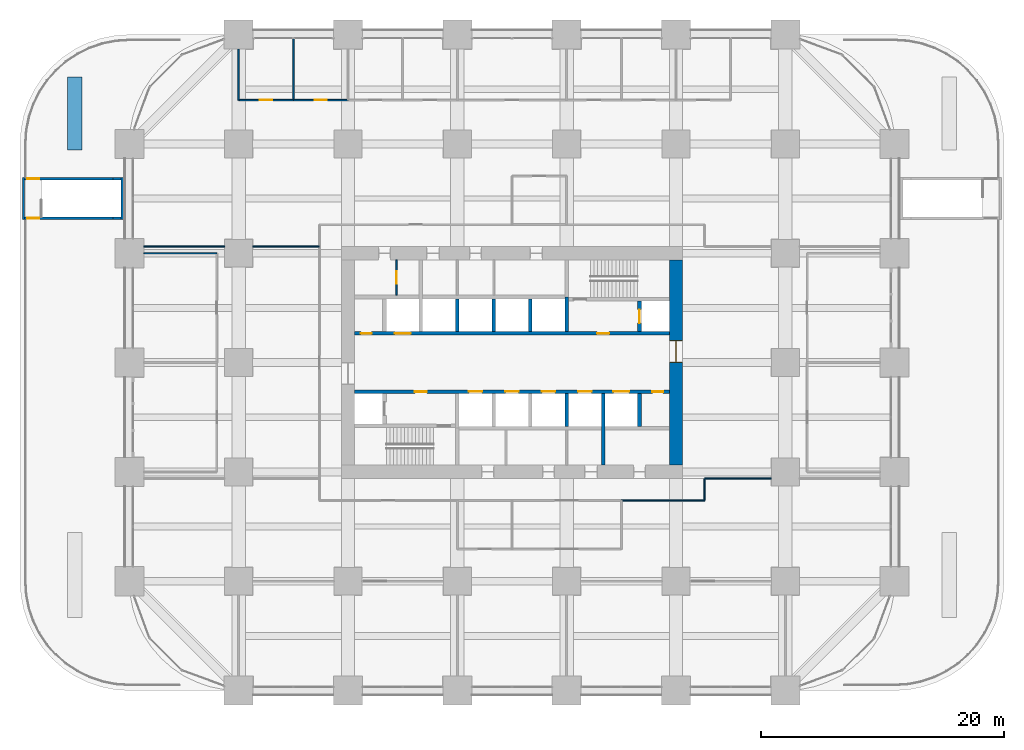
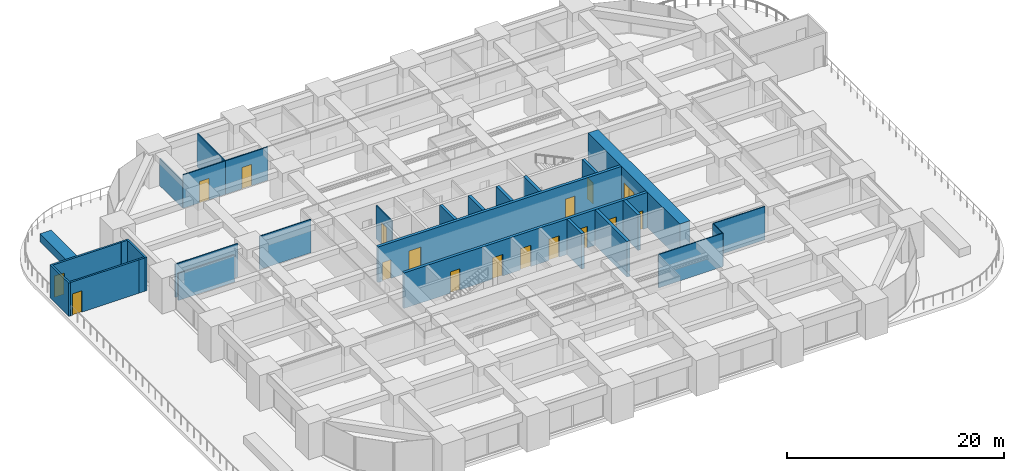
# One storey, part 33 of 38: 29 walls, 17 doors, 17 openings.
"""IFC4 building model written with IfcOpenShell, lengths in metres."""

from ifc_helpers import new_model, si_unit, direction, frame, frame_2d, origin, place, context, subcontext, project, spatial, rectangle, extrude, material, layer, layer_set, type_object, element, fill, save


model = new_model("IFC4")

# Units and contexts
model_context = context("Model", 3, precision=1e-05, world=origin(), true_north=direction((0.0, 1.0)))
body_context = subcontext(model_context, "Body", "Model", "MODEL_VIEW")
ifc_project = project(units=[si_unit("LENGTHUNIT", "METRE"), si_unit("AREAUNIT", "SQUARE_METRE"), si_unit("VOLUMEUNIT", "CUBIC_METRE"), si_unit("PLANEANGLEUNIT", "RADIAN"), si_unit("MASSUNIT", "GRAM", prefix="KILO")], contexts=[model_context])

# Site, building, storey
site_placement = place(None, origin())
site = spatial("IfcSite", under=ifc_project, at=site_placement, CompositionType="ELEMENT")
building_placement = place(site_placement, origin())
building = spatial("IfcBuilding", under=site, at=building_placement, Name="Zorevar Civic Tower", CompositionType="ELEMENT")
storey_placement = place(building_placement, frame((0.0, 0.0, 15.800048828125)))
storey = spatial("IfcBuildingStorey", under=building, at=storey_placement, Name="L03", CompositionType="ELEMENT", Elevation=15.800048828125)

# Walls
ifc_material_1 = material(Name="Concrete blockwork", Category="masonry")
ifc_layer_1 = layer(ifc_material_1, 0.199951171875)
ifc_layer_set_1 = layer_set([ifc_layer_1], Name="Blockwork wall 200")
wall_type_1 = type_object("IfcWallType", Name="Blockwork wall 200", PredefinedType="SOLIDWALL", material=ifc_layer_set_1)
for number, where, z_axis, x_axis, name in (
    (1, (-1.35009765625, 38.875, 0.0), (0.0, 0.0, 1.0), (1.0, 0.0, 0.0), "Escape stair PS1 enclosure L03"),
    (2, (-1.35009765625, 42.125, 0.0), (0.0, 0.0, 1.0), (1.0, 0.0, 0.0), "Escape stair PS1 enclosure L03"),
):
    element("IfcWall", number, at=place(storey_placement, frame(where, z_axis=z_axis, x_axis=x_axis)), inside=storey, type_object=wall_type_1, Name=name, PredefinedType="SOLIDWALL", context=body_context, shape_type="SweptSolid", body=[
        extrude(rectangle(XDim=0.650146484375, YDim=0.199951171875, at=frame_2d((0.3251953125, 0.0))), origin(), (0.0, 0.0, 1.0), 3.75),
    ])
wall_1_placement = place(storey_placement, frame((-0.60009765625, 38.77490234375, 0.0), z_axis=(0.0, 0.0, 1.0), x_axis=(0.0, 1.0, 0.0)))
element("IfcWall", 3, at=wall_1_placement, inside=storey, type_object=wall_type_1, Name="Escape stair PS1 enclosure L03", PredefinedType="SOLIDWALL", context=body_context, shape_type="SweptSolid", body=[
    extrude(rectangle(XDim=3.4501953125, YDim=0.199951171875, at=frame_2d((1.72509765625, 0.0))), origin(), (0.0, 0.0, 1.0), 3.75),
])

# Wall, opening, door
ifc_material_2 = material(Name="Concrete C50/60", Category="concrete")
ifc_layer_2 = layer(ifc_material_2, 1.10009765625)
ifc_layer_set_2 = layer_set([ifc_layer_2], Name="Core wall 1100")
wall_type_2 = type_object("IfcWallType", Name="Core wall 1100", PredefinedType="SHEAR", material=ifc_layer_set_2)
wall_2_placement = place(storey_placement, frame((45.0, 18.550048828125, 0.0), z_axis=(0.0, 0.0, 1.0), x_axis=(0.0, 1.0, 0.0)))
wall_2 = element("IfcWall", 4, at=wall_2_placement, inside=storey, type_object=wall_type_2, Name="Core wall E L03", PredefinedType="SHEAR", context=body_context, shape_type="SweptSolid", body=[
    extrude(rectangle(XDim=16.89990234375, YDim=1.10009765625, at=frame_2d((8.449951171875, 0.0))), origin(), (0.0, 0.0, 1.0), 4.0),
])
opening_1_placement = place(wall_2_placement, frame((8.449951171875, 0.0, 0.0)))
opening_1 = element("IfcOpeningElement", 5, at=opening_1_placement, cuts=wall_2, Name="Opening L03.02", PredefinedType="OPENING", context=body_context, shape_type="SweptSolid", body=[
    extrude(rectangle(XDim=1.800048828125, YDim=2.39990234375, at=frame_2d((0.89990234375, 1.199951171875))), frame((0.0, 0.56005859375, 0.0), z_axis=(0.0, -1.0, 0.0), x_axis=(1.0, 0.0, 0.0)), (0.0, 0.0, 1.0), 1.1201171875),
])
ifc_material_3 = material(Name="Steel door set", Category="steel")
door_type_1 = type_object("IfcDoorType", Name="Fire door FD2 1800x2400", OperationType="DOUBLE_DOOR_DOUBLE_SWING", PredefinedType="DOOR", material=ifc_material_3)
door_1_placement = place(opening_1_placement, origin())
door_1 = element("IfcDoor", 6, at=door_1_placement, inside=storey, type_object=door_type_1, Name="Door L03 01", OperationType="DOUBLE_DOOR_DOUBLE_SWING", OverallHeight=2.39990234375, OverallWidth=1.800048828125, PredefinedType="DOOR", context=body_context, shape_type="SweptSolid", body=[
    extrude(rectangle(XDim=1.800048828125, YDim=2.39990234375, at=frame_2d((0.89990234375, 1.199951171875))), frame((0.0, 0.030029296875, 0.0), z_axis=(0.0, -1.0, 0.0), x_axis=(1.0, 0.0, 0.0)), (0.0, 0.0, 1.0), 0.06005859375),
    extrude(rectangle(XDim=0.04, YDim=2.39990234375, at=frame_2d((0.02001953125, 1.199951171875))), frame((0.0, 0.5498046875, 0.0), z_axis=(0.0, -1.0, 0.0), x_axis=(1.0, 0.0, 0.0)), (0.0, 0.0, 1.0), 1.099609375),
    extrude(rectangle(XDim=0.04, YDim=2.39990234375, at=frame_2d((1.780029296875, 1.199951171875))), frame((0.0, 0.5498046875, 0.0), z_axis=(0.0, -1.0, 0.0), x_axis=(1.0, 0.0, 0.0)), (0.0, 0.0, 1.0), 1.099609375),
    extrude(rectangle(XDim=1.800048828125, YDim=0.04, at=frame_2d((0.89990234375, 2.3798828125))), frame((0.0, 0.5498046875, 0.0), z_axis=(0.0, -1.0, 0.0), x_axis=(1.0, 0.0, 0.0)), (0.0, 0.0, 1.0), 1.099609375),
])
fill(opening_1, door_1)

# Walls
ifc_material_4 = material(Name="Laminated glass in black aluminium frame", Category="aluminium")
ifc_layer_3 = layer(ifc_material_4, 0.10009765625)
ifc_layer_set_3 = layer_set([ifc_layer_3], Name="Glazed partition 100")
wall_type_3 = type_object("IfcWallType", Name="Glazed partition 100", PredefinedType="PARTITIONING", material=ifc_layer_set_3)
wall_3_placement = place(storey_placement, frame((40.5, 15.64990234375, 0.0), z_axis=(0.0, 0.0, 1.0), x_axis=(1.0, 0.0, 0.0)))
element("IfcWall", 7, at=wall_3_placement, inside=storey, type_object=wall_type_3, Name="Glazed partition 100 L03", PredefinedType="PARTITIONING", context=body_context, shape_type="SweptSolid", body=[
    extrude(rectangle(XDim=6.85009765625, YDim=0.10009765625, at=frame_2d((3.425048828125, 0.0))), origin(), (0.0, 0.0, 1.0), 3.75),
])
wall_4_placement = place(storey_placement, frame((47.35009765625, 17.449951171875, 0.0), z_axis=(0.0, 0.0, 1.0), x_axis=(1.0, 0.0, 0.0)))
element("IfcWall", 8, at=wall_4_placement, inside=storey, type_object=wall_type_3, Name="Glazed partition 100 L03", PredefinedType="PARTITIONING", context=body_context, shape_type="SweptSolid", body=[
    extrude(rectangle(XDim=5.5, YDim=0.10009765625, at=frame_2d((2.75, 0.0))), origin(), (0.0, 0.0, 1.0), 3.75),
])
wall_5_placement = place(storey_placement, frame((1.199951171875, 36.550048828125, 0.0), z_axis=(0.0, 0.0, 1.0), x_axis=(1.0, 0.0, 0.0)))
element("IfcWall", 9, at=wall_5_placement, inside=storey, type_object=wall_type_3, Name="Glazed partition 100 L03", PredefinedType="PARTITIONING", context=body_context, shape_type="SweptSolid", body=[
    extrude(rectangle(XDim=6.650146484375, YDim=0.10009765625, at=frame_2d((3.3251953125, 0.0))), origin(), (0.0, 0.0, 1.0), 3.75),
])
wall_6_placement = place(storey_placement, frame((10.14990234375, 36.550048828125, 0.0), z_axis=(0.0, 0.0, 1.0), x_axis=(1.0, 0.0, 0.0)))
element("IfcWall", 10, at=wall_6_placement, inside=storey, type_object=wall_type_3, Name="Glazed partition 100 L03", PredefinedType="PARTITIONING", context=body_context, shape_type="SweptSolid", body=[
    extrude(rectangle(XDim=5.5, YDim=0.10009765625, at=frame_2d((2.75, 0.0))), origin(), (0.0, 0.0, 1.0), 3.75),
])
wall_7_placement = place(storey_placement, frame((47.35009765625, 15.64990234375, 0.0), z_axis=(0.0, 0.0, 1.0), x_axis=(0.0, 1.0, 0.0)))
element("IfcWall", 11, at=wall_7_placement, inside=storey, type_object=wall_type_3, Name="Glazed partition 100 L03", PredefinedType="PARTITIONING", context=body_context, shape_type="SweptSolid", body=[
    extrude(rectangle(XDim=1.800048828125, YDim=0.10009765625, at=frame_2d((0.89990234375, 0.0))), origin(), (0.0, 0.0, 1.0), 3.75),
])

# Wall, opening, door
ifc_material_5 = material(Name="Concrete C40/50", Category="concrete")
ifc_layer_4 = layer(ifc_material_5, 0.300048828125)
ifc_layer_set_4 = layer_set([ifc_layer_4], Name="Inner core wall 300")
wall_type_4 = type_object("IfcWallType", Name="Inner core wall 300", PredefinedType="SHEAR", material=ifc_layer_set_4)
wall_8_placement = place(storey_placement, frame((42.0, 29.550048828125, 0.0), z_axis=(0.0, 0.0, 1.0), x_axis=(0.0, 1.0, 0.0)))
wall_8 = element("IfcWall", 12, at=wall_8_placement, inside=storey, type_object=wall_type_4, Name="Inner core wall N02 L03", PredefinedType="SHEAR", context=body_context, shape_type="SweptSolid", body=[
    extrude(rectangle(XDim=2.5, YDim=0.300048828125, at=frame_2d((1.25, 0.0))), origin(), (0.0, 0.0, 1.0), 4.0),
])
opening_2_placement = place(wall_8_placement, frame((0.699951171875, 0.0, 0.0)))
opening_2 = element("IfcOpeningElement", 13, at=opening_2_placement, cuts=wall_8, Name="Opening L03.FL2", PredefinedType="OPENING", context=body_context, shape_type="SweptSolid", body=[
    extrude(rectangle(XDim=1.10009765625, YDim=2.39990234375, at=frame_2d((0.550048828125, 1.199951171875))), frame((0.0, 0.159912109375, 0.0), z_axis=(0.0, -1.0, 0.0), x_axis=(1.0, 0.0, 0.0)), (0.0, 0.0, 1.0), 0.320068359375),
])
ifc_material_6 = material(Name="Steel door set", Category="steel")
door_type_2 = type_object("IfcDoorType", Name="Firefighting lift landing door LD3 1100x2400", OperationType="DOUBLE_DOOR_SLIDING", PredefinedType="DOOR", material=ifc_material_6)
door_2_placement = place(opening_2_placement, origin())
door_2 = element("IfcDoor", 14, at=door_2_placement, inside=storey, type_object=door_type_2, Name="Landing door FL2 L03", OperationType="DOUBLE_DOOR_SLIDING", OverallHeight=2.39990234375, OverallWidth=1.10009765625, PredefinedType="DOOR", context=body_context, shape_type="SweptSolid", body=[
    extrude(rectangle(XDim=1.10009765625, YDim=2.39990234375, at=frame_2d((0.550048828125, 1.199951171875))), frame((0.0, 0.030029296875, 0.0), z_axis=(0.0, -1.0, 0.0), x_axis=(1.0, 0.0, 0.0)), (0.0, 0.0, 1.0), 0.06005859375),
])
fill(opening_2, door_2)

# Wall, openings, doors
wall_9_placement = place(storey_placement, frame((18.550048828125, 24.60009765625, 0.0), z_axis=(0.0, 0.0, 1.0), x_axis=(1.0, 0.0, 0.0)))
wall_9 = element("IfcWall", 15, at=wall_9_placement, inside=storey, type_object=wall_type_4, Name="Inner core wall S03 L03", PredefinedType="SHEAR", context=body_context, shape_type="SweptSolid", body=[
    extrude(rectangle(XDim=25.89990234375, YDim=0.300048828125, at=frame_2d((12.949951171875, 0.0))), origin(), (0.0, 0.0, 1.0), 4.0),
])
opening_3_placement = place(wall_9_placement, frame((4.949951171875, 0.0, 0.0)))
opening_3 = element("IfcOpeningElement", 16, at=opening_3_placement, cuts=wall_9, Name="Opening L03.13", PredefinedType="OPENING", context=body_context, shape_type="SweptSolid", body=[
    extrude(rectangle(XDim=1.0, YDim=2.39990234375, at=frame_2d((0.5, 1.199951171875))), frame((0.0, 0.159912109375, 0.0), z_axis=(0.0, -1.0, 0.0), x_axis=(1.0, 0.0, 0.0)), (0.0, 0.0, 1.0), 0.320068359375),
])
opening_4_placement = place(wall_9_placement, frame((24.5, 0.0, 0.0)))
opening_4 = element("IfcOpeningElement", 17, at=opening_4_placement, cuts=wall_9, Name="Opening L03.15", PredefinedType="OPENING", context=body_context, shape_type="SweptSolid", body=[
    extrude(rectangle(XDim=0.89990234375, YDim=2.10009765625, at=frame_2d((0.449951171875, 1.050048828125))), frame((0.0, 0.159912109375, 0.0), z_axis=(0.0, -1.0, 0.0), x_axis=(1.0, 0.0, 0.0)), (0.0, 0.0, 1.0), 0.320068359375),
])
opening_5_placement = place(wall_9_placement, frame((9.39990234375, 0.0, 0.0)))
opening_5 = element("IfcOpeningElement", 18, at=opening_5_placement, cuts=wall_9, Name="Opening L03.LP1", PredefinedType="OPENING", context=body_context, shape_type="SweptSolid", body=[
    extrude(rectangle(XDim=1.10009765625, YDim=2.39990234375, at=frame_2d((0.550048828125, 1.199951171875))), frame((0.0, 0.159912109375, 0.0), z_axis=(0.0, -1.0, 0.0), x_axis=(1.0, 0.0, 0.0)), (0.0, 0.0, 1.0), 0.320068359375),
])
opening_6_placement = place(wall_9_placement, frame((12.39990234375, 0.0, 0.0)))
opening_6 = element("IfcOpeningElement", 19, at=opening_6_placement, cuts=wall_9, Name="Opening L03.LP2", PredefinedType="OPENING", context=body_context, shape_type="SweptSolid", body=[
    extrude(rectangle(XDim=1.10009765625, YDim=2.39990234375, at=frame_2d((0.550048828125, 1.199951171875))), frame((0.0, 0.159912109375, 0.0), z_axis=(0.0, -1.0, 0.0), x_axis=(1.0, 0.0, 0.0)), (0.0, 0.0, 1.0), 0.320068359375),
])
opening_7_placement = place(wall_9_placement, frame((15.39990234375, 0.0, 0.0)))
opening_7 = element("IfcOpeningElement", 20, at=opening_7_placement, cuts=wall_9, Name="Opening L03.LP3", PredefinedType="OPENING", context=body_context, shape_type="SweptSolid", body=[
    extrude(rectangle(XDim=1.10009765625, YDim=2.39990234375, at=frame_2d((0.550048828125, 1.199951171875))), frame((0.0, 0.159912109375, 0.0), z_axis=(0.0, -1.0, 0.0), x_axis=(1.0, 0.0, 0.0)), (0.0, 0.0, 1.0), 0.320068359375),
])
opening_8_placement = place(wall_9_placement, frame((18.39990234375, 0.0, 0.0)))
opening_8 = element("IfcOpeningElement", 21, at=opening_8_placement, cuts=wall_9, Name="Opening L03.LP4", PredefinedType="OPENING", context=body_context, shape_type="SweptSolid", body=[
    extrude(rectangle(XDim=1.10009765625, YDim=2.39990234375, at=frame_2d((0.550048828125, 1.199951171875))), frame((0.0, 0.159912109375, 0.0), z_axis=(0.0, -1.0, 0.0), x_axis=(1.0, 0.0, 0.0)), (0.0, 0.0, 1.0), 0.320068359375),
])
opening_9_placement = place(wall_9_placement, frame((21.300048828125, 0.0, 0.0)))
opening_9 = element("IfcOpeningElement", 22, at=opening_9_placement, cuts=wall_9, Name="Opening L03.SL1", PredefinedType="OPENING", context=body_context, shape_type="SweptSolid", body=[
    extrude(rectangle(XDim=1.300048828125, YDim=2.39990234375, at=frame_2d((0.64990234375, 1.199951171875))), frame((0.0, 0.159912109375, 0.0), z_axis=(0.0, -1.0, 0.0), x_axis=(1.0, 0.0, 0.0)), (0.0, 0.0, 1.0), 0.320068359375),
])
ifc_material_7 = material(Name="Steel door set", Category="steel")
door_type_3 = type_object("IfcDoorType", Name="Fire door FD1 1000x2400", OperationType="SINGLE_SWING_LEFT", PredefinedType="DOOR", material=ifc_material_7)
door_3_placement = place(opening_3_placement, origin())
door_3 = element("IfcDoor", 23, at=door_3_placement, inside=storey, type_object=door_type_3, Name="Door L03 12", OperationType="SINGLE_SWING_RIGHT", OverallHeight=2.39990234375, OverallWidth=1.0, PredefinedType="DOOR", context=body_context, shape_type="SweptSolid", body=[
    extrude(rectangle(XDim=1.0, YDim=2.39990234375, at=frame_2d((0.5, 1.199951171875))), frame((0.0, 0.030029296875, 0.0), z_axis=(0.0, -1.0, 0.0), x_axis=(1.0, 0.0, 0.0)), (0.0, 0.0, 1.0), 0.06005859375),
])
fill(opening_3, door_3)
ifc_material_8 = material(Name="Steel door set", Category="steel")
door_type_4 = type_object("IfcDoorType", Name="Landing door LD1 1100x2400", OperationType="DOUBLE_DOOR_SLIDING", PredefinedType="DOOR", material=ifc_material_8)
door_4_placement = place(opening_5_placement, origin())
door_4 = element("IfcDoor", 24, at=door_4_placement, inside=storey, type_object=door_type_4, Name="Landing door LP1 L03", OperationType="DOUBLE_DOOR_SLIDING", OverallHeight=2.39990234375, OverallWidth=1.10009765625, PredefinedType="DOOR", context=body_context, shape_type="SweptSolid", body=[
    extrude(rectangle(XDim=1.10009765625, YDim=2.39990234375, at=frame_2d((0.550048828125, 1.199951171875))), frame((0.0, 0.02001953125, 0.0), z_axis=(0.0, -1.0, 0.0), x_axis=(1.0, 0.0, 0.0)), (0.0, 0.0, 1.0), 0.0400390625),
])
fill(opening_5, door_4)
door_5_placement = place(opening_6_placement, origin())
door_5 = element("IfcDoor", 25, at=door_5_placement, inside=storey, type_object=door_type_4, Name="Landing door LP2 L03", OperationType="DOUBLE_DOOR_SLIDING", OverallHeight=2.39990234375, OverallWidth=1.10009765625, PredefinedType="DOOR", context=body_context, shape_type="SweptSolid", body=[
    extrude(rectangle(XDim=1.10009765625, YDim=2.39990234375, at=frame_2d((0.550048828125, 1.199951171875))), frame((0.0, 0.02001953125, 0.0), z_axis=(0.0, -1.0, 0.0), x_axis=(1.0, 0.0, 0.0)), (0.0, 0.0, 1.0), 0.0400390625),
])
fill(opening_6, door_5)
door_6_placement = place(opening_7_placement, origin())
door_6 = element("IfcDoor", 26, at=door_6_placement, inside=storey, type_object=door_type_4, Name="Landing door LP3 L03", OperationType="DOUBLE_DOOR_SLIDING", OverallHeight=2.39990234375, OverallWidth=1.10009765625, PredefinedType="DOOR", context=body_context, shape_type="SweptSolid", body=[
    extrude(rectangle(XDim=1.10009765625, YDim=2.39990234375, at=frame_2d((0.550048828125, 1.199951171875))), frame((0.0, 0.02001953125, 0.0), z_axis=(0.0, -1.0, 0.0), x_axis=(1.0, 0.0, 0.0)), (0.0, 0.0, 1.0), 0.0400390625),
])
fill(opening_7, door_6)
door_7_placement = place(opening_8_placement, origin())
door_7 = element("IfcDoor", 27, at=door_7_placement, inside=storey, type_object=door_type_4, Name="Landing door LP4 L03", OperationType="DOUBLE_DOOR_SLIDING", OverallHeight=2.39990234375, OverallWidth=1.10009765625, PredefinedType="DOOR", context=body_context, shape_type="SweptSolid", body=[
    extrude(rectangle(XDim=1.10009765625, YDim=2.39990234375, at=frame_2d((0.550048828125, 1.199951171875))), frame((0.0, 0.02001953125, 0.0), z_axis=(0.0, -1.0, 0.0), x_axis=(1.0, 0.0, 0.0)), (0.0, 0.0, 1.0), 0.0400390625),
])
fill(opening_8, door_7)
ifc_material_9 = material(Name="Steel door set", Category="steel")
door_type_5 = type_object("IfcDoorType", Name="Landing door LD2 1300x2400", OperationType="DOUBLE_DOOR_SLIDING", PredefinedType="DOOR", material=ifc_material_9)
door_8_placement = place(opening_9_placement, origin())
door_8 = element("IfcDoor", 28, at=door_8_placement, inside=storey, type_object=door_type_5, Name="Landing door SL1 L03", OperationType="DOUBLE_DOOR_SLIDING", OverallHeight=2.39990234375, OverallWidth=1.300048828125, PredefinedType="DOOR", context=body_context, shape_type="SweptSolid", body=[
    extrude(rectangle(XDim=1.300048828125, YDim=2.39990234375, at=frame_2d((0.64990234375, 1.199951171875))), frame((0.0, 0.02001953125, 0.0), z_axis=(0.0, -1.0, 0.0), x_axis=(1.0, 0.0, 0.0)), (0.0, 0.0, 1.0), 0.0400390625),
])
fill(opening_9, door_8)
ifc_material_10 = material(Name="Steel door set", Category="steel")
door_type_6 = type_object("IfcDoorType", Name="Riser door RD1 900x2100", OperationType="SINGLE_SWING_LEFT", PredefinedType="DOOR", material=ifc_material_10)
door_9_placement = place(opening_4_placement, origin())
door_9 = element("IfcDoor", 29, at=door_9_placement, inside=storey, type_object=door_type_6, Name="Door L03 14", OperationType="SINGLE_SWING_RIGHT", OverallHeight=2.10009765625, OverallWidth=0.89990234375, PredefinedType="DOOR", context=body_context, shape_type="SweptSolid", body=[
    extrude(rectangle(XDim=0.89990234375, YDim=2.10009765625, at=frame_2d((0.449951171875, 1.050048828125))), frame((0.0, 0.030029296875, 0.0), z_axis=(0.0, -1.0, 0.0), x_axis=(1.0, 0.0, 0.0)), (0.0, 0.0, 1.0), 0.06005859375),
])
fill(opening_4, door_9)

wall_10_placement = place(storey_placement, frame((18.550048828125, 29.39990234375, 0.0), z_axis=(0.0, 0.0, 1.0), x_axis=(1.0, 0.0, 0.0)))
wall_10 = element("IfcWall", 30, at=wall_10_placement, inside=storey, type_object=wall_type_4, Name="Inner core wall N03 L03", PredefinedType="SHEAR", context=body_context, shape_type="SweptSolid", body=[
    extrude(rectangle(XDim=25.89990234375, YDim=0.300048828125, at=frame_2d((12.949951171875, 0.0))), origin(), (0.0, 0.0, 1.0), 4.0),
])
opening_10_placement = place(wall_10_placement, frame((19.949951171875, 0.0, 0.0)))
opening_10 = element("IfcOpeningElement", 31, at=opening_10_placement, cuts=wall_10, Name="Opening L03.14", PredefinedType="OPENING", context=body_context, shape_type="SweptSolid", body=[
    extrude(rectangle(XDim=1.0, YDim=2.39990234375, at=frame_2d((0.5, 1.199951171875))), frame((0.0, 0.159912109375, 0.0), z_axis=(0.0, -1.0, 0.0), x_axis=(1.0, 0.0, 0.0)), (0.0, 0.0, 1.0), 0.320068359375),
])
opening_11_placement = place(wall_10_placement, frame((0.5, 0.0, 0.0)))
opening_11 = element("IfcOpeningElement", 32, at=opening_11_placement, cuts=wall_10, Name="Opening L03.16", PredefinedType="OPENING", context=body_context, shape_type="SweptSolid", body=[
    extrude(rectangle(XDim=0.89990234375, YDim=2.10009765625, at=frame_2d((0.449951171875, 1.050048828125))), frame((0.0, 0.159912109375, 0.0), z_axis=(0.0, -1.0, 0.0), x_axis=(1.0, 0.0, 0.0)), (0.0, 0.0, 1.0), 0.320068359375),
])
opening_12_placement = place(wall_10_placement, frame((3.300048828125, 0.0, 0.0)))
opening_12 = element("IfcOpeningElement", 33, at=opening_12_placement, cuts=wall_10, Name="Opening L03.SL2", PredefinedType="OPENING", context=body_context, shape_type="SweptSolid", body=[
    extrude(rectangle(XDim=1.300048828125, YDim=2.39990234375, at=frame_2d((0.64990234375, 1.199951171875))), frame((0.0, 0.159912109375, 0.0), z_axis=(0.0, -1.0, 0.0), x_axis=(1.0, 0.0, 0.0)), (0.0, 0.0, 1.0), 0.320068359375),
])
door_10_placement = place(opening_10_placement, origin())
door_10 = element("IfcDoor", 34, at=door_10_placement, inside=storey, type_object=door_type_3, Name="Door L03 13", OperationType="SINGLE_SWING_RIGHT", OverallHeight=2.39990234375, OverallWidth=1.0, PredefinedType="DOOR", context=body_context, shape_type="SweptSolid", body=[
    extrude(rectangle(XDim=1.0, YDim=2.39990234375, at=frame_2d((0.5, 1.199951171875))), frame((0.0, 0.030029296875, 0.0), z_axis=(0.0, -1.0, 0.0), x_axis=(1.0, 0.0, 0.0)), (0.0, 0.0, 1.0), 0.06005859375),
])
fill(opening_10, door_10)
door_11_placement = place(opening_12_placement, origin())
door_11 = element("IfcDoor", 35, at=door_11_placement, inside=storey, type_object=door_type_5, Name="Landing door SL2 L03", OperationType="DOUBLE_DOOR_SLIDING", OverallHeight=2.39990234375, OverallWidth=1.300048828125, PredefinedType="DOOR", context=body_context, shape_type="SweptSolid", body=[
    extrude(rectangle(XDim=1.300048828125, YDim=2.39990234375, at=frame_2d((0.64990234375, 1.199951171875))), frame((0.0, 0.02001953125, 0.0), z_axis=(0.0, -1.0, 0.0), x_axis=(1.0, 0.0, 0.0)), (0.0, 0.0, 1.0), 0.0400390625),
])
fill(opening_12, door_11)
door_12_placement = place(opening_11_placement, origin())
door_12 = element("IfcDoor", 36, at=door_12_placement, inside=storey, type_object=door_type_6, Name="Door L03 15", OperationType="SINGLE_SWING_RIGHT", OverallHeight=2.10009765625, OverallWidth=0.89990234375, PredefinedType="DOOR", context=body_context, shape_type="SweptSolid", body=[
    extrude(rectangle(XDim=0.89990234375, YDim=2.10009765625, at=frame_2d((0.449951171875, 1.050048828125))), frame((0.0, 0.030029296875, 0.0), z_axis=(0.0, -1.0, 0.0), x_axis=(1.0, 0.0, 0.0)), (0.0, 0.0, 1.0), 0.06005859375),
])
fill(opening_11, door_12)

# Walls
for number, where, z_axis, x_axis, name in (
    (37, (33.0, 29.550048828125, 0.0), (0.0, 0.0, 1.0), (0.0, 1.0, 0.0), "Inner core wall N05 L03"),
    (38, (30.0, 29.550048828125, 0.0), (0.0, 0.0, 1.0), (0.0, 1.0, 0.0), "Inner core wall N06 L03"),
    (39, (36.0, 21.75, 0.0), (0.0, 0.0, 1.0), (0.0, 1.0, 0.0), "Inner core wall S07 L03"),
    (40, (27.0, 29.550048828125, 0.0), (0.0, 0.0, 1.0), (0.0, 1.0, 0.0), "Inner core wall N07 L03"),
):
    element("IfcWall", number, at=place(storey_placement, frame(where, z_axis=z_axis, x_axis=x_axis)), inside=storey, type_object=wall_type_4, Name=name, PredefinedType="SHEAR", context=body_context, shape_type="SweptSolid", body=[
        extrude(rectangle(XDim=2.699951171875, YDim=0.300048828125, at=frame_2d((1.35009765625, 0.0))), origin(), (0.0, 0.0, 1.0), 4.0),
    ])
wall_11_placement = place(storey_placement, frame((39.0, 18.550048828125, 0.0), z_axis=(0.0, 0.0, 1.0), x_axis=(0.0, 1.0, 0.0)))
element("IfcWall", 41, at=wall_11_placement, inside=storey, type_object=wall_type_4, Name="Inner core wall S08 L03", PredefinedType="SHEAR", context=body_context, shape_type="SweptSolid", body=[
    extrude(rectangle(XDim=5.89990234375, YDim=0.300048828125, at=frame_2d((2.949951171875, 0.0))), origin(), (0.0, 0.0, 1.0), 4.0),
])
wall_12_placement = place(storey_placement, frame((42.0, 21.75, 0.0), z_axis=(0.0, 0.0, 1.0), x_axis=(0.0, 1.0, 0.0)))
element("IfcWall", 42, at=wall_12_placement, inside=storey, type_object=wall_type_4, Name="Inner core wall S09 L03", PredefinedType="SHEAR", context=body_context, shape_type="SweptSolid", body=[
    extrude(rectangle(XDim=2.699951171875, YDim=0.300048828125, at=frame_2d((1.35009765625, 0.0))), origin(), (0.0, 0.0, 1.0), 4.0),
])
wall_13_placement = place(storey_placement, frame((36.0, 29.550048828125, 0.0), z_axis=(0.0, 0.0, 1.0), x_axis=(0.0, 1.0, 0.0)))
element("IfcWall", 43, at=wall_13_placement, inside=storey, type_object=wall_type_4, Name="Inner core wall N10 L03", PredefinedType="SHEAR", context=body_context, shape_type="SweptSolid", body=[
    extrude(rectangle(XDim=2.849853515625, YDim=0.300048828125, at=frame_2d((1.4248046875, 0.0))), origin(), (0.0, 0.0, 1.0), 4.0),
])
ifc_material_11 = material(Name="Gypsum board on steel studs", Category="steel")
ifc_layer_5 = layer(ifc_material_11, 0.1201171875)
ifc_layer_set_5 = layer_set([ifc_layer_5], Name="Partition 120")
wall_type_5 = type_object("IfcWallType", Name="Partition 120", PredefinedType="PARTITIONING", material=ifc_layer_set_5)
wall_14_placement = place(storey_placement, frame((1.199951171875, 36.0, 0.0), z_axis=(0.0, 0.0, 1.0), x_axis=(1.0, 0.0, 0.0)))
element("IfcWall", 44, at=wall_14_placement, inside=storey, type_object=wall_type_5, Name="Partition 120 L03", PredefinedType="PARTITIONING", context=body_context, shape_type="SweptSolid", body=[
    extrude(rectangle(XDim=6.0, YDim=0.1201171875, at=frame_2d((3.0, 0.0))), origin(), (0.0, 0.0, 1.0), 3.050048828125),
])

# Wall, opening, door
wall_15_placement = place(storey_placement, frame((9.0, 48.60009765625, 0.0), z_axis=(0.0, 0.0, 1.0), x_axis=(1.0, 0.0, 0.0)))
wall_15 = element("IfcWall", 45, at=wall_15_placement, inside=storey, type_object=wall_type_5, Name="Partition 120 L03", PredefinedType="PARTITIONING", context=body_context, shape_type="SweptSolid", body=[
    extrude(rectangle(XDim=4.5, YDim=0.1201171875, at=frame_2d((2.25, 0.0))), origin(), (0.0, 0.0, 1.0), 3.75),
])
opening_13_placement = place(wall_15_placement, frame((1.75, 0.0, 0.0)))
opening_13 = element("IfcOpeningElement", 46, at=opening_13_placement, cuts=wall_15, Name="Opening L03.25", PredefinedType="OPENING", context=body_context, shape_type="SweptSolid", body=[
    extrude(rectangle(XDim=1.0, YDim=2.39990234375, at=frame_2d((0.5, 1.199951171875))), frame((0.0, 0.070068359375, 0.0), z_axis=(0.0, -1.0, 0.0), x_axis=(1.0, 0.0, 0.0)), (0.0, 0.0, 1.0), 0.14013671875),
])
ifc_material_12 = material(Name="Timber door set", Category="wood")
door_type_7 = type_object("IfcDoorType", Name="Door D1 1000x2400", OperationType="SINGLE_SWING_LEFT", PredefinedType="DOOR", material=ifc_material_12)
door_13_placement = place(opening_13_placement, origin())
door_13 = element("IfcDoor", 47, at=door_13_placement, inside=storey, type_object=door_type_7, Name="Door L03 D1", OperationType="SINGLE_SWING_LEFT", OverallHeight=2.39990234375, OverallWidth=1.0, PredefinedType="DOOR", context=body_context, shape_type="SweptSolid", body=[
    extrude(rectangle(XDim=1.0, YDim=2.39990234375, at=frame_2d((0.5, 1.199951171875))), frame((0.0, 0.02490234375, 0.0), z_axis=(0.0, -1.0, 0.0), x_axis=(1.0, 0.0, 0.0)), (0.0, 0.0, 1.0), 0.050048828125),
])
fill(opening_13, door_13)

wall_16_placement = place(storey_placement, frame((13.5, 48.60009765625, 0.0), z_axis=(0.0, 0.0, 1.0), x_axis=(1.0, 0.0, 0.0)))
wall_16 = element("IfcWall", 48, at=wall_16_placement, inside=storey, type_object=wall_type_5, Name="Partition 120 L03", PredefinedType="PARTITIONING", context=body_context, shape_type="SweptSolid", body=[
    extrude(rectangle(XDim=4.5, YDim=0.1201171875, at=frame_2d((2.25, 0.0))), origin(), (0.0, 0.0, 1.0), 3.75),
])
opening_14_placement = place(wall_16_placement, frame((1.75, 0.0, 0.0)))
opening_14 = element("IfcOpeningElement", 49, at=opening_14_placement, cuts=wall_16, Name="Opening L03.26", PredefinedType="OPENING", context=body_context, shape_type="SweptSolid", body=[
    extrude(rectangle(XDim=1.0, YDim=2.39990234375, at=frame_2d((0.5, 1.199951171875))), frame((0.0, 0.070068359375, 0.0), z_axis=(0.0, -1.0, 0.0), x_axis=(1.0, 0.0, 0.0)), (0.0, 0.0, 1.0), 0.14013671875),
])
door_14_placement = place(opening_14_placement, origin())
door_14 = element("IfcDoor", 50, at=door_14_placement, inside=storey, type_object=door_type_7, Name="Door L03 D1", OperationType="SINGLE_SWING_LEFT", OverallHeight=2.39990234375, OverallWidth=1.0, PredefinedType="DOOR", context=body_context, shape_type="SweptSolid", body=[
    extrude(rectangle(XDim=1.0, YDim=2.39990234375, at=frame_2d((0.5, 1.199951171875))), frame((0.0, 0.02490234375, 0.0), z_axis=(0.0, -1.0, 0.0), x_axis=(1.0, 0.0, 0.0)), (0.0, 0.0, 1.0), 0.050048828125),
])
fill(opening_14, door_14)

# Walls
wall_17_placement = place(storey_placement, frame((9.0, 48.60009765625, 0.0), z_axis=(0.0, 0.0, 1.0), x_axis=(0.0, 1.0, 0.0)))
element("IfcWall", 51, at=wall_17_placement, inside=storey, type_object=wall_type_5, Name="Partition 120 L03", PredefinedType="PARTITIONING", context=body_context, shape_type="SweptSolid", body=[
    extrude(rectangle(XDim=4.199951171875, YDim=0.1201171875, at=frame_2d((2.10009765625, 0.0))), origin(), (0.0, 0.0, 1.0), 3.050048828125),
])
wall_18_placement = place(storey_placement, frame((13.5, 48.60009765625, 0.0), z_axis=(0.0, 0.0, 1.0), x_axis=(0.0, 1.0, 0.0)))
element("IfcWall", 52, at=wall_18_placement, inside=storey, type_object=wall_type_5, Name="Partition 120 L03", PredefinedType="PARTITIONING", context=body_context, shape_type="SweptSolid", body=[
    extrude(rectangle(XDim=5.08984375, YDim=0.1201171875, at=frame_2d((2.544921875, 0.0))), origin(), (0.0, 0.0, 1.0), 3.75),
])

# Wall, opening, door
wall_19_placement = place(storey_placement, frame((22.0, 32.550048828125, 0.0), z_axis=(0.0, 0.0, 1.0), x_axis=(0.0, 1.0, 0.0)))
wall_19 = element("IfcWall", 53, at=wall_19_placement, inside=storey, type_object=wall_type_5, Name="Partition L03", PredefinedType="PARTITIONING", context=body_context, shape_type="SweptSolid", body=[
    extrude(rectangle(XDim=2.89990234375, YDim=0.1201171875, at=frame_2d((1.449951171875, 0.0))), origin(), (0.0, 0.0, 1.0), 3.75),
])
opening_15_placement = place(wall_19_placement, frame((0.949951171875, 0.0, 0.0)))
opening_15 = element("IfcOpeningElement", 54, at=opening_15_placement, cuts=wall_19, Name="Opening L03.38", PredefinedType="OPENING", context=body_context, shape_type="SweptSolid", body=[
    extrude(rectangle(XDim=1.0, YDim=2.39990234375, at=frame_2d((0.5, 1.199951171875))), frame((0.0, 0.070068359375, 0.0), z_axis=(0.0, -1.0, 0.0), x_axis=(1.0, 0.0, 0.0)), (0.0, 0.0, 1.0), 0.14013671875),
])
door_15_placement = place(opening_15_placement, origin())
door_15 = element("IfcDoor", 55, at=door_15_placement, inside=storey, type_object=door_type_3, Name="Door L03 EN", OperationType="SINGLE_SWING_LEFT", OverallHeight=2.39990234375, OverallWidth=1.0, PredefinedType="DOOR", context=body_context, shape_type="SweptSolid", body=[
    extrude(rectangle(XDim=1.0, YDim=2.39990234375, at=frame_2d((0.5, 1.199951171875))), frame((0.0, 0.030029296875, 0.0), z_axis=(0.0, -1.0, 0.0), x_axis=(1.0, 0.0, 0.0)), (0.0, 0.0, 1.0), 0.06005859375),
])
fill(opening_15, door_15)

# Wall
ifc_material_13 = material(Name="Precast concrete planter", Category="concrete")
ifc_layer_6 = layer(ifc_material_13, 1.199951171875)
ifc_layer_set_6 = layer_set([ifc_layer_6], Name="Planter PL1 1200")
wall_type_6 = type_object("IfcWallType", Name="Planter PL1 1200", PredefinedType="USERDEFINED", material=ifc_layer_set_6)
wall_20_placement = place(storey_placement, frame((-4.5, 44.5, 0.0), z_axis=(0.0, 0.0, 1.0), x_axis=(0.0, 1.0, 0.0)))
element("IfcWall", 56, at=wall_20_placement, inside=storey, type_object=wall_type_6, Name="Planter L03", ObjectType="PLANTER", PredefinedType="USERDEFINED", context=body_context, shape_type="SweptSolid", body=[
    extrude(rectangle(XDim=6.0, YDim=1.199951171875, at=frame_2d((3.0, 0.0))), origin(), (0.0, 0.0, 1.0), 0.89990234375),
])

# Wall, opening, door
ifc_material_14 = material(Name="Concrete C30/37", Category="concrete")
ifc_layer_7 = layer(ifc_material_14, 0.199951171875)
ifc_layer_set_7 = layer_set([ifc_layer_7], Name="Stair enclosure wall 200")
wall_type_7 = type_object("IfcWallType", Name="Stair enclosure wall 200", PredefinedType="SOLIDWALL", material=ifc_layer_set_7)
wall_21_placement = place(storey_placement, frame((-8.610107421875, 38.875, 0.0), z_axis=(0.0, 0.0, 1.0), x_axis=(1.0, 0.0, 0.0)))
wall_21 = element("IfcWall", 57, at=wall_21_placement, inside=storey, type_object=wall_type_7, Name="Escape stair PS1 enclosure L03", PredefinedType="SOLIDWALL", context=body_context, shape_type="SweptSolid", body=[
    extrude(rectangle(XDim=7.260009765625, YDim=0.199951171875, at=frame_2d((3.6298828125, 0.0))), origin(), (0.0, 0.0, 1.0), 3.75),
])
opening_16_placement = place(wall_21_placement, frame((0.2099609375, 0.0, 0.0)))
opening_16 = element("IfcOpeningElement", 58, at=opening_16_placement, cuts=wall_21, Name="Opening L03.81", PredefinedType="OPENING", context=body_context, shape_type="SweptSolid", body=[
    extrude(rectangle(XDim=1.0, YDim=2.39990234375, at=frame_2d((0.5, 1.199951171875))), frame((0.0, 0.10986328125, 0.0), z_axis=(0.0, -1.0, 0.0), x_axis=(1.0, 0.0, 0.0)), (0.0, 0.0, 1.0), 0.219970703125),
])
door_16_placement = place(opening_16_placement, origin())
door_16 = element("IfcDoor", 59, at=door_16_placement, inside=storey, type_object=door_type_3, Name="Escape stair PS1 door L03", OperationType="SINGLE_SWING_RIGHT", OverallHeight=2.39990234375, OverallWidth=1.0, PredefinedType="DOOR", context=body_context, shape_type="SweptSolid", body=[
    extrude(rectangle(XDim=1.0, YDim=2.39990234375, at=frame_2d((0.5, 1.199951171875))), frame((0.0, 0.030029296875, 0.0), z_axis=(0.0, -1.0, 0.0), x_axis=(1.0, 0.0, 0.0)), (0.0, 0.0, 1.0), 0.06005859375),
])
fill(opening_16, door_16)

wall_22_placement = place(storey_placement, frame((-8.610107421875, 42.125, 0.0), z_axis=(0.0, 0.0, 1.0), x_axis=(1.0, 0.0, 0.0)))
wall_22 = element("IfcWall", 60, at=wall_22_placement, inside=storey, type_object=wall_type_7, Name="Escape stair PS1 enclosure L03", PredefinedType="SOLIDWALL", context=body_context, shape_type="SweptSolid", body=[
    extrude(rectangle(XDim=7.260009765625, YDim=0.199951171875, at=frame_2d((3.6298828125, 0.0))), origin(), (0.0, 0.0, 1.0), 3.75),
])
opening_17_placement = place(wall_22_placement, frame((0.2099609375, 0.0, 0.0)))
opening_17 = element("IfcOpeningElement", 61, at=opening_17_placement, cuts=wall_22, Name="Opening L03.84", PredefinedType="OPENING", context=body_context, shape_type="SweptSolid", body=[
    extrude(rectangle(XDim=1.0, YDim=2.39990234375, at=frame_2d((0.5, 1.199951171875))), frame((0.0, 0.10986328125, 0.0), z_axis=(0.0, -1.0, 0.0), x_axis=(1.0, 0.0, 0.0)), (0.0, 0.0, 1.0), 0.219970703125),
])
door_17_placement = place(opening_17_placement, origin())
door_17 = element("IfcDoor", 62, at=door_17_placement, inside=storey, type_object=door_type_3, Name="Escape stair PS1 door L03 north", OperationType="SINGLE_SWING_LEFT", OverallHeight=2.39990234375, OverallWidth=1.0, PredefinedType="DOOR", context=body_context, shape_type="SweptSolid", body=[
    extrude(rectangle(XDim=1.0, YDim=2.39990234375, at=frame_2d((0.5, 1.199951171875))), frame((0.0, 0.030029296875, 0.0), z_axis=(0.0, -1.0, 0.0), x_axis=(1.0, 0.0, 0.0)), (0.0, 0.0, 1.0), 0.06005859375),
])
fill(opening_17, door_17)

# Wall
wall_23_placement = place(storey_placement, frame((-8.7099609375, 38.77490234375, 0.0), z_axis=(0.0, 0.0, 1.0), x_axis=(0.0, 1.0, 0.0)))
element("IfcWall", 63, at=wall_23_placement, inside=storey, type_object=wall_type_7, Name="Escape stair PS1 enclosure L03", PredefinedType="SOLIDWALL", context=body_context, shape_type="SweptSolid", body=[
    extrude(rectangle(XDim=3.4501953125, YDim=0.199951171875, at=frame_2d((1.72509765625, 0.0))), origin(), (0.0, 0.0, 1.0), 3.75),
])

save(model, "model.ifc")
